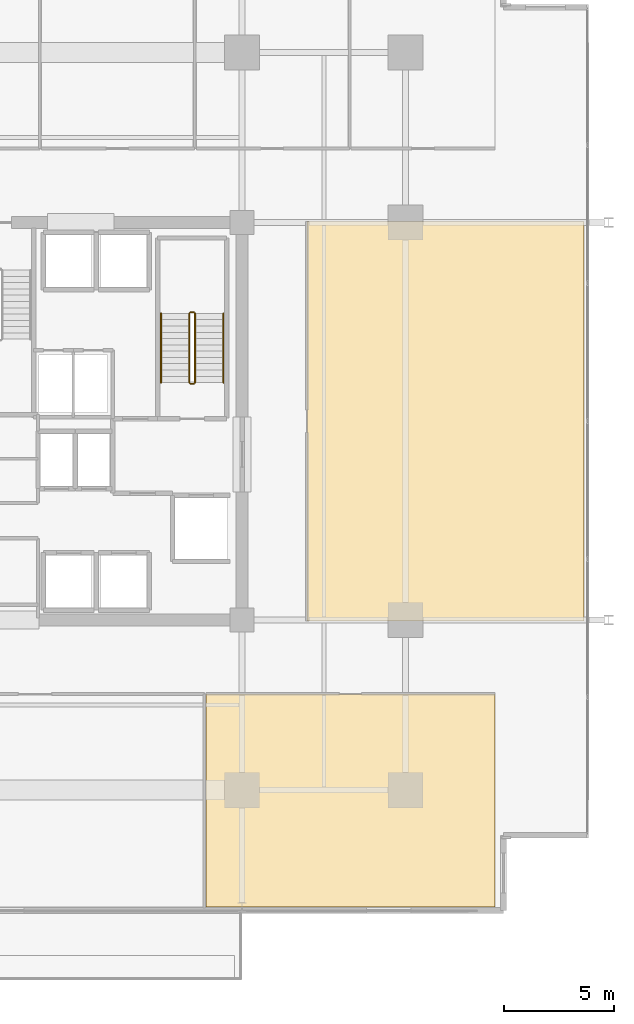
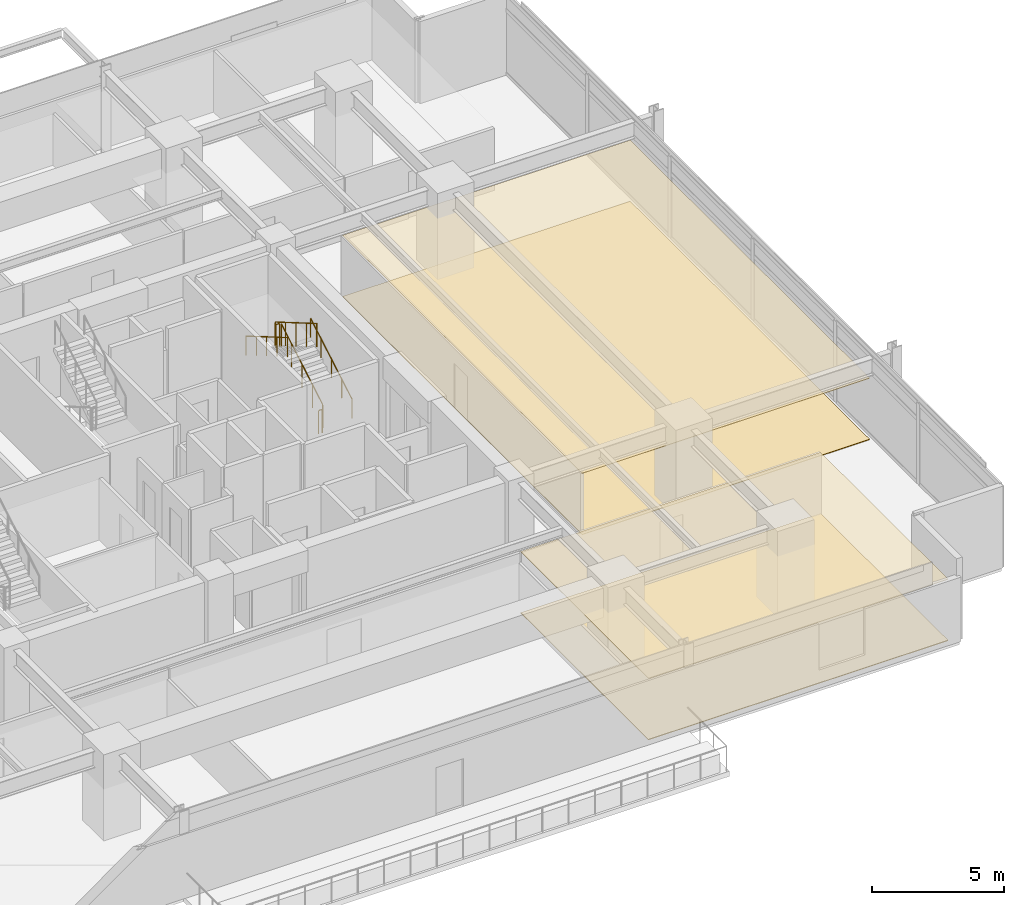
# One storey, part 21 of 22: 6 railings, 4 coverings.
"""IFC4 building model written with IfcOpenShell, lengths in metres."""

from ifc_helpers import new_model, si_unit, direction, frame, origin, origin_2d, place, context, subcontext, project, spatial, polyline, circle, outline, extrude, material, layer, layer_set, type_object, element, save


model = new_model("IFC4")

# Units and contexts
model_context = context("Model", 3, precision=1e-05, world=origin(), true_north=direction((0.0, 1.0)))
body_context = subcontext(model_context, "Body", "Model", "MODEL_VIEW")
ifc_project = project(units=[si_unit("LENGTHUNIT", "METRE"), si_unit("AREAUNIT", "SQUARE_METRE"), si_unit("VOLUMEUNIT", "CUBIC_METRE"), si_unit("PLANEANGLEUNIT", "RADIAN"), si_unit("MASSUNIT", "GRAM", prefix="KILO")], contexts=[model_context])

# Site, building, storey
site_placement = place(None, origin())
site = spatial("IfcSite", under=ifc_project, at=site_placement, CompositionType="ELEMENT")
building_placement = place(site_placement, origin())
building = spatial("IfcBuilding", under=site, at=building_placement, Name="Kovane Verandah Tower", CompositionType="ELEMENT")
storey_placement = place(building_placement, frame((0.0, 0.0, 156.39990234375)))
storey = spatial("IfcBuildingStorey", under=building, at=storey_placement, Name="L36", CompositionType="ELEMENT", Elevation=156.39990234375)

# Coverings
ifc_material_1 = material(Name="Perforated Acoustic Mineral-Fibre Ceiling Tile", Category="gypsum")
ifc_layer_1 = layer(ifc_material_1, 0.02490234375)
ifc_layer_set_1 = layer_set([ifc_layer_1], Name="Perforated Acoustic Mineral-Fibre Ceiling Tile")
covering_type_1 = type_object("IfcCoveringType", Name="CV-CEIL-25", PredefinedType="CEILING", material=ifc_layer_set_1)
covering_1_placement = place(storey_placement, frame((0.0, 0.0, 2.8251953125)))
element("IfcCovering", 1, at=covering_1_placement, inside=storey, type_object=covering_type_1, Name="L36 Meeting Room S3 Acoustic Ceiling", PredefinedType="CEILING", context=body_context, shape_type="SweptSolid", body=[
    extrude(outline(polyline([(49.365234375, 5.50390625), (62.44189453125, 5.50390625), (62.44189453125, 15.14990234375), (49.365234375, 15.14990234375), (49.365234375, 5.50390625)])), origin(), (0.0, 0.0, 1.0), 0.02490234375),
])
covering_2_placement = place(storey_placement, frame((0.0, 0.0, 2.8251953125)))
element("IfcCovering", 2, at=covering_2_placement, inside=storey, type_object=covering_type_1, Name="L36 Breakout Pantry E1 Acoustic Ceiling", PredefinedType="CEILING", context=body_context, shape_type="SweptSolid", body=[
    extrude(outline(polyline([(53.949951171875, 18.449951171875), (66.491943359375, 18.449951171875), (66.491943359375, 36.550048828125), (53.949951171875, 36.550048828125), (53.949951171875, 18.449951171875)])), origin(), (0.0, 0.0, 1.0), 0.02490234375),
])
ifc_material_2 = material(Name="Polished Terrazzo and Raised-Access Carpet Tile Finish", Category="concrete")
ifc_layer_2 = layer(ifc_material_2, 0.030029296875)
ifc_layer_set_2 = layer_set([ifc_layer_2], Name="Polished Terrazzo and Raised-Access Carpet Tile Finish")
covering_type_2 = type_object("IfcCoveringType", Name="CV-FLOR-30", PredefinedType="FLOORING", material=ifc_layer_set_2)
covering_3_placement = place(storey_placement, origin())
element("IfcCovering", 3, at=covering_3_placement, inside=storey, type_object=covering_type_2, Name="L36 Meeting Room S3 Floor Finish", PredefinedType="FLOORING", context=body_context, shape_type="SweptSolid", body=[
    extrude(outline(polyline([(49.365234375, 5.50390625), (62.44189453125, 5.50390625), (62.44189453125, 15.14990234375), (49.365234375, 15.14990234375), (49.365234375, 5.50390625)])), origin(), (0.0, 0.0, 1.0), 0.030029296875),
])
covering_4_placement = place(storey_placement, origin())
element("IfcCovering", 4, at=covering_4_placement, inside=storey, type_object=covering_type_2, Name="L36 Breakout Pantry E1 Floor Finish", PredefinedType="FLOORING", context=body_context, shape_type="SweptSolid", body=[
    extrude(outline(polyline([(53.949951171875, 18.449951171875), (66.491943359375, 18.449951171875), (66.491943359375, 36.550048828125), (53.949951171875, 36.550048828125), (53.949951171875, 18.449951171875)])), origin(), (0.0, 0.0, 1.0), 0.030029296875),
])

# Railings
ifc_material_3 = material(Name="Brushed Stainless Steel Handrail", Category="steel")
railing_type_1 = type_object("IfcRailingType", Name="RL-HAND-920", PredefinedType="HANDRAIL", material=ifc_material_3)
railing_1_placement = place(storey_placement, frame((50.14990234375, 29.25, 0.166748046875)))
element("IfcRailing", 5, at=railing_1_placement, inside=storey, type_object=railing_type_1, Name="L36 ST-02 stair handrail 1", PredefinedType="HANDRAIL", context=body_context, shape_type="SweptSolid", body=[
    extrude(circle(Radius=0.02392578125, at=origin_2d()), frame((0.0, 0.0, 0.8759765625), z_axis=(0.0, 0.863239559939, 0.504794475164), x_axis=(-1.0, 0.0, 0.0)), (0.0, 0.0, 1.0), 3.631591796875),
    extrude(circle(Radius=0.02099609375, at=origin_2d()), origin(), (0.0, 0.0, 1.0), 0.851806640625),
    extrude(circle(Radius=0.02099609375, at=origin_2d()), frame((0.0, 0.78369140625, 0.458251953125)), (0.0, 0.0, 1.0), 0.851806640625),
    extrude(circle(Radius=0.02099609375, at=origin_2d()), frame((0.0, 1.5673828125, 0.91650390625)), (0.0, 0.0, 1.0), 0.851806640625),
    extrude(circle(Radius=0.02099609375, at=origin_2d()), frame((0.0, 2.351318359375, 1.375)), (0.0, 0.0, 1.0), 0.851806640625),
    extrude(circle(Radius=0.02099609375, at=origin_2d()), frame((0.0, 3.135009765625, 1.833251953125)), (0.0, 0.0, 1.0), 0.851806640625),
])
railing_2_placement = place(storey_placement, frame((47.330078125, 32.385009765625, 2.166748046875)))
element("IfcRailing", 6, at=railing_2_placement, inside=storey, type_object=railing_type_1, Name="L36 ST-02 stair handrail 2", PredefinedType="HANDRAIL", context=body_context, shape_type="SweptSolid", body=[
    extrude(circle(Radius=0.02392578125, at=origin_2d()), frame((0.0, 0.0, 0.8759765625), z_axis=(0.0, -0.863239559939, 0.504794475164), x_axis=(1.0, 0.0, 0.0)), (0.0, 0.0, 1.0), 3.631591796875),
    extrude(circle(Radius=0.02099609375, at=origin_2d()), origin(), (0.0, 0.0, 1.0), 0.851806640625),
    extrude(circle(Radius=0.02099609375, at=origin_2d()), frame((0.0, -0.78369140625, 0.458251953125)), (0.0, 0.0, 1.0), 0.851806640625),
    extrude(circle(Radius=0.02099609375, at=origin_2d()), frame((0.0, -1.5673828125, 0.91650390625)), (0.0, 0.0, 1.0), 0.851806640625),
    extrude(circle(Radius=0.02099609375, at=origin_2d()), frame((0.0, -2.351318359375, 1.375)), (0.0, 0.0, 1.0), 0.851806640625),
    extrude(circle(Radius=0.02099609375, at=origin_2d()), frame((0.0, -3.135009765625, 1.833251953125)), (0.0, 0.0, 1.0), 0.851806640625),
])
ifc_material_4 = material(Name="Painted Steel Stairwell Guardrail", Category="steel")
railing_type_2 = type_object("IfcRailingType", Name="RL-STGUARD-1120", PredefinedType="GUARDRAIL", material=ifc_material_4)
railing_3_placement = place(storey_placement, frame((48.8701171875, 29.25, 0.166748046875)))
element("IfcRailing", 7, at=railing_3_placement, inside=storey, type_object=railing_type_2, Name="L36 ST-02 stair guard 1", PredefinedType="GUARDRAIL", context=body_context, shape_type="SweptSolid", body=[
    extrude(circle(Radius=0.02392578125, at=origin_2d()), frame((0.0, 0.0, 1.076171875), z_axis=(0.0, 0.863239559939, 0.504794475164), x_axis=(-1.0, 0.0, 0.0)), (0.0, 0.0, 1.0), 3.631591796875),
    extrude(circle(Radius=0.02099609375, at=origin_2d()), origin(), (0.0, 0.0, 1.0), 1.052001953125),
    extrude(circle(Radius=0.02099609375, at=origin_2d()), frame((0.0, 0.78369140625, 0.458251953125)), (0.0, 0.0, 1.0), 1.052001953125),
    extrude(circle(Radius=0.02099609375, at=origin_2d()), frame((0.0, 1.5673828125, 0.91650390625)), (0.0, 0.0, 1.0), 1.052001953125),
    extrude(circle(Radius=0.02099609375, at=origin_2d()), frame((0.0, 2.351318359375, 1.375)), (0.0, 0.0, 1.0), 1.052001953125),
    extrude(circle(Radius=0.02099609375, at=origin_2d()), frame((0.0, 3.135009765625, 1.833251953125)), (0.0, 0.0, 1.0), 1.052001953125),
])
railing_4_placement = place(storey_placement, frame((48.820068359375, 32.43505859375, 2.0)))
element("IfcRailing", 8, at=railing_4_placement, inside=storey, type_object=railing_type_2, Name="L36 ST-02 stair guard 2", PredefinedType="GUARDRAIL", context=body_context, shape_type="SweptSolid", body=[
    extrude(circle(Radius=0.02392578125, at=origin_2d()), frame((0.0, 0.0, 1.076171875), z_axis=(-1.0, 0.0, 0.0), x_axis=(0.0, -1.0, 0.0)), (0.0, 0.0, 1.0), 0.16015625),
    extrude(circle(Radius=0.02099609375, at=origin_2d()), origin(), (0.0, 0.0, 1.0), 1.052001953125),
    extrude(circle(Radius=0.02099609375, at=origin_2d()), frame((-0.16015625, 0.0, 0.0)), (0.0, 0.0, 1.0), 1.052001953125),
])
railing_5_placement = place(storey_placement, frame((48.610107421875, 32.385009765625, 2.166748046875)))
element("IfcRailing", 9, at=railing_5_placement, inside=storey, type_object=railing_type_2, Name="L36 ST-02 stair guard 3", PredefinedType="GUARDRAIL", context=body_context, shape_type="SweptSolid", body=[
    extrude(circle(Radius=0.02392578125, at=origin_2d()), frame((0.0, 0.0, 1.076171875), z_axis=(0.0, -0.863239559939, 0.504794475164), x_axis=(1.0, 0.0, 0.0)), (0.0, 0.0, 1.0), 3.631591796875),
    extrude(circle(Radius=0.02099609375, at=origin_2d()), origin(), (0.0, 0.0, 1.0), 1.052001953125),
    extrude(circle(Radius=0.02099609375, at=origin_2d()), frame((0.0, -0.78369140625, 0.458251953125)), (0.0, 0.0, 1.0), 1.052001953125),
    extrude(circle(Radius=0.02099609375, at=origin_2d()), frame((0.0, -1.5673828125, 0.91650390625)), (0.0, 0.0, 1.0), 1.052001953125),
    extrude(circle(Radius=0.02099609375, at=origin_2d()), frame((0.0, -2.351318359375, 1.375)), (0.0, 0.0, 1.0), 1.052001953125),
    extrude(circle(Radius=0.02099609375, at=origin_2d()), frame((0.0, -3.135009765625, 1.833251953125)), (0.0, 0.0, 1.0), 1.052001953125),
])
railing_6_placement = place(storey_placement, frame((48.820068359375, 29.199951171875, 0.0)))
element("IfcRailing", 10, at=railing_6_placement, inside=storey, type_object=railing_type_2, Name="L36 ST-02 stair guard 4", PredefinedType="GUARDRAIL", context=body_context, shape_type="SweptSolid", body=[
    extrude(circle(Radius=0.02392578125, at=origin_2d()), frame((0.0, 0.0, 1.076171875), z_axis=(-1.0, 0.0, 0.0), x_axis=(0.0, -1.0, 0.0)), (0.0, 0.0, 1.0), 0.16015625),
    extrude(circle(Radius=0.02099609375, at=origin_2d()), origin(), (0.0, 0.0, 1.0), 1.052001953125),
    extrude(circle(Radius=0.02099609375, at=origin_2d()), frame((-0.16015625, 0.0, 0.0)), (0.0, 0.0, 1.0), 1.052001953125),
])

save(model, "model.ifc")
